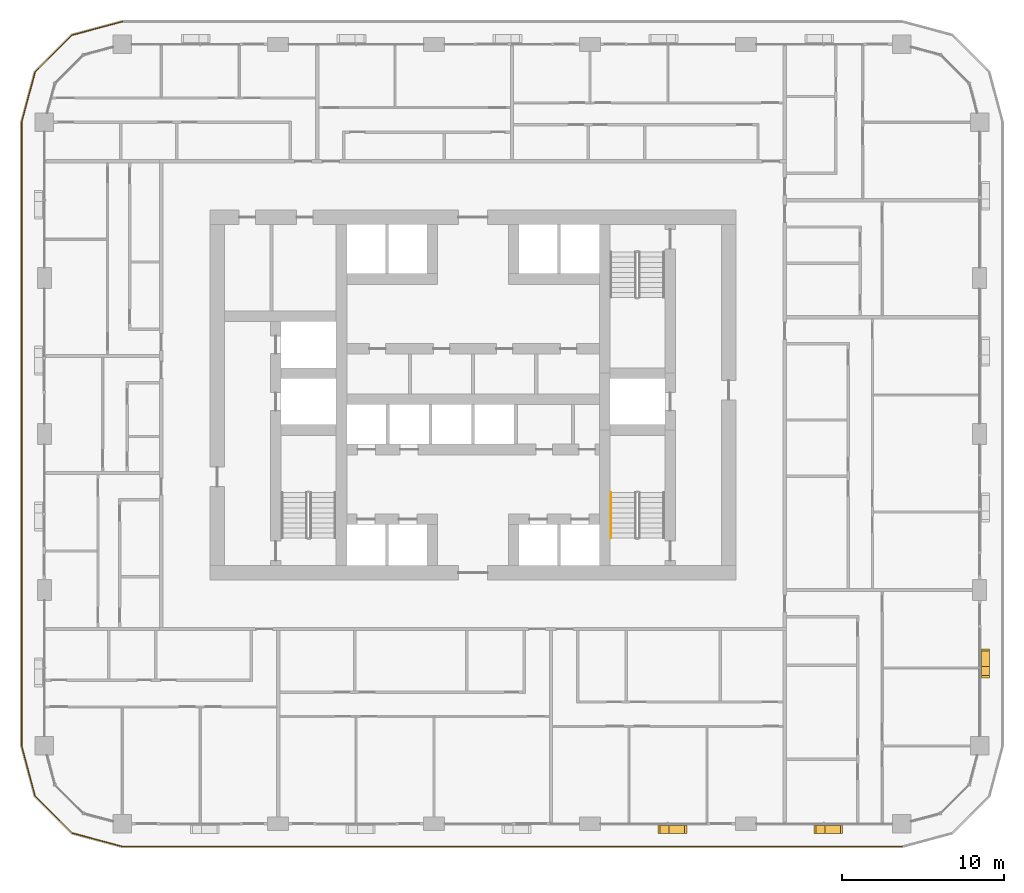
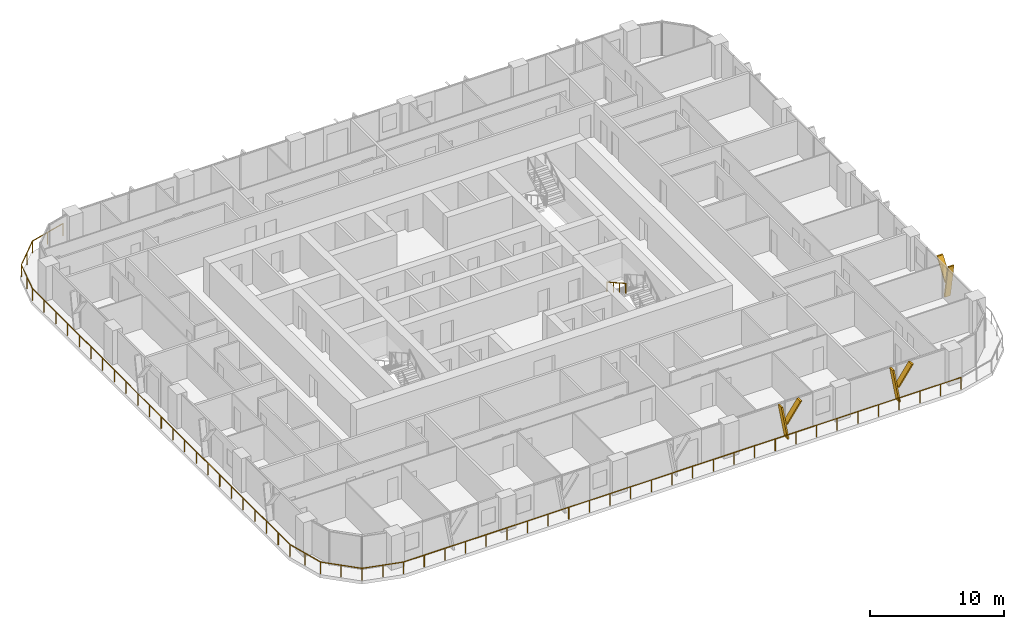
# One storey, part 18 of 21: 6 shading devices, 2 railings.
"""IFC4 building model written with IfcOpenShell, lengths in metres."""

from ifc_helpers import new_model, si_unit, direction, frame, origin, origin_2d, place, context, subcontext, project, spatial, polyline, circle, outline, extrude, material, type_object, element, save


model = new_model("IFC4")

# Units and contexts
model_context = context("Model", 3, precision=1e-05, world=origin(), true_north=direction((0.0, 1.0)))
body_context = subcontext(model_context, "Body", "Model", "MODEL_VIEW")
ifc_project = project(units=[si_unit("LENGTHUNIT", "METRE"), si_unit("AREAUNIT", "SQUARE_METRE"), si_unit("VOLUMEUNIT", "CUBIC_METRE"), si_unit("PLANEANGLEUNIT", "RADIAN"), si_unit("MASSUNIT", "GRAM", prefix="KILO")], contexts=[model_context])

# Site, building, storey
site_placement = place(None, origin())
site = spatial("IfcSite", under=ifc_project, at=site_placement, CompositionType="ELEMENT")
building_placement = place(site_placement, origin())
building = spatial("IfcBuilding", under=site, at=building_placement, Name="Madar Terraces", CompositionType="ELEMENT")
storey_placement = place(building_placement, frame((0.0, 0.0, 80.300048828125)))
storey = spatial("IfcBuildingStorey", under=building, at=storey_placement, Name="L20", CompositionType="ELEMENT", Elevation=80.300048828125)

# Railing
ifc_material_1 = material(Name="Glass, safety glazing, with stainless steel posts", Category="steel")
railing_type_1 = type_object("IfcRailingType", Name="Balcony glass guard 1100", PredefinedType="GUARDRAIL", material=ifc_material_1)
railing_1_placement = place(storey_placement, frame((9.60009765625, 49.39990234375, 0.0)))
element("IfcRailing", 1, at=railing_1_placement, inside=storey, type_object=railing_type_1, Name="Balcony guard", PredefinedType="GUARDRAIL", context=body_context, shape_type="SweptSolid", body=[
    extrude(circle(Radius=0.02392578125, at=origin_2d()), frame((0.0, 0.0, 1.076171875), z_axis=(-0.9659337912, -0.258789317819, 0.0), x_axis=(0.258789317819, -0.9659337912, 0.0)), (0.0, 0.0, 1.0), 3.20947265625),
    extrude(circle(Radius=0.02392578125, at=origin_2d()), frame((-3.10009765625, -0.83056640625, 1.076171875), z_axis=(-0.707106781187, -0.707106781187, 0.0), x_axis=(0.707106781187, -0.707106781187, 0.0)), (0.0, 0.0, 1.0), 3.209228515625),
    extrude(circle(Radius=0.02392578125, at=origin_2d()), frame((-5.369384765625, -3.099853515625, 1.076171875), z_axis=(-0.258860290944, -0.965914773555, 0.0), x_axis=(0.965914773555, -0.258860290944, 0.0)), (0.0, 0.0, 1.0), 3.20947265625),
    extrude(circle(Radius=0.02392578125, at=origin_2d()), frame((-6.2001953125, -6.199951171875, 1.076171875), z_axis=(0.0, -1.0, 0.0), x_axis=(1.0, 0.0, 0.0)), (0.0, 0.0, 1.0), 38.39990234375),
    extrude(circle(Radius=0.02392578125, at=origin_2d()), frame((-6.2001953125, -44.599853515625, 1.076171875), z_axis=(0.258860290944, -0.965914773555, 0.0), x_axis=(0.965914773555, 0.258860290944, 0.0)), (0.0, 0.0, 1.0), 3.20947265625),
    extrude(circle(Radius=0.02392578125, at=origin_2d()), frame((-5.369384765625, -47.699951171875, 1.076171875), z_axis=(0.707106781187, -0.707106781187, 0.0), x_axis=(0.707106781187, 0.707106781187, 0.0)), (0.0, 0.0, 1.0), 3.209228515625),
    extrude(circle(Radius=0.02392578125, at=origin_2d()), frame((-3.10009765625, -49.96923828125, 1.076171875), z_axis=(0.9659337912, -0.258789317819, 0.0), x_axis=(0.258789317819, 0.9659337912, 0.0)), (0.0, 0.0, 1.0), 3.20947265625),
    extrude(circle(Radius=0.02392578125, at=origin_2d()), frame((0.0, -50.7998046875, 1.076171875), z_axis=(1.0, 0.0, 0.0), x_axis=(0.0, 1.0, 0.0)), (0.0, 0.0, 1.0), 48.0),
    extrude(circle(Radius=0.02099609375, at=origin_2d()), origin(), (0.0, 0.0, 1.0), 1.052001953125),
    extrude(circle(Radius=0.02099609375, at=origin_2d()), frame((-1.550048828125, -0.415283203125, 0.0)), (0.0, 0.0, 1.0), 1.052001953125),
    extrude(circle(Radius=0.02099609375, at=origin_2d()), frame((-3.10009765625, -0.83056640625, 0.0)), (0.0, 0.0, 1.0), 1.052001953125),
    extrude(circle(Radius=0.02099609375, at=origin_2d()), frame((-4.23486328125, -1.96533203125, 0.0)), (0.0, 0.0, 1.0), 1.052001953125),
    extrude(circle(Radius=0.02099609375, at=origin_2d()), frame((-5.369384765625, -3.099853515625, 0.0)), (0.0, 0.0, 1.0), 1.052001953125),
    extrude(circle(Radius=0.02099609375, at=origin_2d()), frame((-5.78466796875, -4.64990234375, 0.0)), (0.0, 0.0, 1.0), 1.052001953125),
    extrude(circle(Radius=0.02099609375, at=origin_2d()), frame((-6.2001953125, -6.199951171875, 0.0)), (0.0, 0.0, 1.0), 1.052001953125),
    extrude(circle(Radius=0.02099609375, at=origin_2d()), frame((-6.2001953125, -7.9453125, 0.0)), (0.0, 0.0, 1.0), 1.052001953125),
    extrude(circle(Radius=0.02099609375, at=origin_2d()), frame((-6.2001953125, -9.69091796875, 0.0)), (0.0, 0.0, 1.0), 1.052001953125),
    extrude(circle(Radius=0.02099609375, at=origin_2d()), frame((-6.2001953125, -11.436279296875, 0.0)), (0.0, 0.0, 1.0), 1.052001953125),
    extrude(circle(Radius=0.02099609375, at=origin_2d()), frame((-6.2001953125, -13.181640625, 0.0)), (0.0, 0.0, 1.0), 1.052001953125),
    extrude(circle(Radius=0.02099609375, at=origin_2d()), frame((-6.2001953125, -14.92724609375, 0.0)), (0.0, 0.0, 1.0), 1.052001953125),
    extrude(circle(Radius=0.02099609375, at=origin_2d()), frame((-6.2001953125, -16.672607421875, 0.0)), (0.0, 0.0, 1.0), 1.052001953125),
    extrude(circle(Radius=0.02099609375, at=origin_2d()), frame((-6.2001953125, -18.418212890625, 0.0)), (0.0, 0.0, 1.0), 1.052001953125),
    extrude(circle(Radius=0.02099609375, at=origin_2d()), frame((-6.2001953125, -20.16357421875, 0.0)), (0.0, 0.0, 1.0), 1.052001953125),
    extrude(circle(Radius=0.02099609375, at=origin_2d()), frame((-6.2001953125, -21.908935546875, 0.0)), (0.0, 0.0, 1.0), 1.052001953125),
    extrude(circle(Radius=0.02099609375, at=origin_2d()), frame((-6.2001953125, -23.654541015625, 0.0)), (0.0, 0.0, 1.0), 1.052001953125),
    extrude(circle(Radius=0.02099609375, at=origin_2d()), frame((-6.2001953125, -25.39990234375, 0.0)), (0.0, 0.0, 1.0), 1.052001953125),
    extrude(circle(Radius=0.02099609375, at=origin_2d()), frame((-6.2001953125, -27.145263671875, 0.0)), (0.0, 0.0, 1.0), 1.052001953125),
    extrude(circle(Radius=0.02099609375, at=origin_2d()), frame((-6.2001953125, -28.890869140625, 0.0)), (0.0, 0.0, 1.0), 1.052001953125),
    extrude(circle(Radius=0.02099609375, at=origin_2d()), frame((-6.2001953125, -30.63623046875, 0.0)), (0.0, 0.0, 1.0), 1.052001953125),
    extrude(circle(Radius=0.02099609375, at=origin_2d()), frame((-6.2001953125, -32.381591796875, 0.0)), (0.0, 0.0, 1.0), 1.052001953125),
    extrude(circle(Radius=0.02099609375, at=origin_2d()), frame((-6.2001953125, -34.127197265625, 0.0)), (0.0, 0.0, 1.0), 1.052001953125),
    extrude(circle(Radius=0.02099609375, at=origin_2d()), frame((-6.2001953125, -35.87255859375, 0.0)), (0.0, 0.0, 1.0), 1.052001953125),
    extrude(circle(Radius=0.02099609375, at=origin_2d()), frame((-6.2001953125, -37.6181640625, 0.0)), (0.0, 0.0, 1.0), 1.052001953125),
    extrude(circle(Radius=0.02099609375, at=origin_2d()), frame((-6.2001953125, -39.363525390625, 0.0)), (0.0, 0.0, 1.0), 1.052001953125),
    extrude(circle(Radius=0.02099609375, at=origin_2d()), frame((-6.2001953125, -41.10888671875, 0.0)), (0.0, 0.0, 1.0), 1.052001953125),
    extrude(circle(Radius=0.02099609375, at=origin_2d()), frame((-6.2001953125, -42.8544921875, 0.0)), (0.0, 0.0, 1.0), 1.052001953125),
    extrude(circle(Radius=0.02099609375, at=origin_2d()), frame((-6.2001953125, -44.599853515625, 0.0)), (0.0, 0.0, 1.0), 1.052001953125),
    extrude(circle(Radius=0.02099609375, at=origin_2d()), frame((-5.78466796875, -46.14990234375, 0.0)), (0.0, 0.0, 1.0), 1.052001953125),
    extrude(circle(Radius=0.02099609375, at=origin_2d()), frame((-5.369384765625, -47.699951171875, 0.0)), (0.0, 0.0, 1.0), 1.052001953125),
    extrude(circle(Radius=0.02099609375, at=origin_2d()), frame((-4.23486328125, -48.83447265625, 0.0)), (0.0, 0.0, 1.0), 1.052001953125),
    extrude(circle(Radius=0.02099609375, at=origin_2d()), frame((-3.10009765625, -49.96923828125, 0.0)), (0.0, 0.0, 1.0), 1.052001953125),
    extrude(circle(Radius=0.02099609375, at=origin_2d()), frame((-1.550048828125, -50.384521484375, 0.0)), (0.0, 0.0, 1.0), 1.052001953125),
    extrude(circle(Radius=0.02099609375, at=origin_2d()), frame((0.0, -50.7998046875, 0.0)), (0.0, 0.0, 1.0), 1.052001953125),
    extrude(circle(Radius=0.02099609375, at=origin_2d()), frame((1.77783203125, -50.7998046875, 0.0)), (0.0, 0.0, 1.0), 1.052001953125),
    extrude(circle(Radius=0.02099609375, at=origin_2d()), frame((3.5556640625, -50.7998046875, 0.0)), (0.0, 0.0, 1.0), 1.052001953125),
    extrude(circle(Radius=0.02099609375, at=origin_2d()), frame((5.333251953125, -50.7998046875, 0.0)), (0.0, 0.0, 1.0), 1.052001953125),
    extrude(circle(Radius=0.02099609375, at=origin_2d()), frame((7.111083984375, -50.7998046875, 0.0)), (0.0, 0.0, 1.0), 1.052001953125),
    extrude(circle(Radius=0.02099609375, at=origin_2d()), frame((8.888916015625, -50.7998046875, 0.0)), (0.0, 0.0, 1.0), 1.052001953125),
    extrude(circle(Radius=0.02099609375, at=origin_2d()), frame((10.666748046875, -50.7998046875, 0.0)), (0.0, 0.0, 1.0), 1.052001953125),
    extrude(circle(Radius=0.02099609375, at=origin_2d()), frame((12.4443359375, -50.7998046875, 0.0)), (0.0, 0.0, 1.0), 1.052001953125),
    extrude(circle(Radius=0.02099609375, at=origin_2d()), frame((14.22216796875, -50.7998046875, 0.0)), (0.0, 0.0, 1.0), 1.052001953125),
    extrude(circle(Radius=0.02099609375, at=origin_2d()), frame((16.0, -50.7998046875, 0.0)), (0.0, 0.0, 1.0), 1.052001953125),
    extrude(circle(Radius=0.02099609375, at=origin_2d()), frame((17.77783203125, -50.7998046875, 0.0)), (0.0, 0.0, 1.0), 1.052001953125),
    extrude(circle(Radius=0.02099609375, at=origin_2d()), frame((19.5556640625, -50.7998046875, 0.0)), (0.0, 0.0, 1.0), 1.052001953125),
    extrude(circle(Radius=0.02099609375, at=origin_2d()), frame((21.333251953125, -50.7998046875, 0.0)), (0.0, 0.0, 1.0), 1.052001953125),
    extrude(circle(Radius=0.02099609375, at=origin_2d()), frame((23.111083984375, -50.7998046875, 0.0)), (0.0, 0.0, 1.0), 1.052001953125),
    extrude(circle(Radius=0.02099609375, at=origin_2d()), frame((24.888916015625, -50.7998046875, 0.0)), (0.0, 0.0, 1.0), 1.052001953125),
    extrude(circle(Radius=0.02099609375, at=origin_2d()), frame((26.666748046875, -50.7998046875, 0.0)), (0.0, 0.0, 1.0), 1.052001953125),
    extrude(circle(Radius=0.02099609375, at=origin_2d()), frame((28.4443359375, -50.7998046875, 0.0)), (0.0, 0.0, 1.0), 1.052001953125),
    extrude(circle(Radius=0.02099609375, at=origin_2d()), frame((30.22216796875, -50.7998046875, 0.0)), (0.0, 0.0, 1.0), 1.052001953125),
    extrude(circle(Radius=0.02099609375, at=origin_2d()), frame((32.0, -50.7998046875, 0.0)), (0.0, 0.0, 1.0), 1.052001953125),
    extrude(circle(Radius=0.02099609375, at=origin_2d()), frame((33.77783203125, -50.7998046875, 0.0)), (0.0, 0.0, 1.0), 1.052001953125),
    extrude(circle(Radius=0.02099609375, at=origin_2d()), frame((35.5556640625, -50.7998046875, 0.0)), (0.0, 0.0, 1.0), 1.052001953125),
    extrude(circle(Radius=0.02099609375, at=origin_2d()), frame((37.333251953125, -50.7998046875, 0.0)), (0.0, 0.0, 1.0), 1.052001953125),
    extrude(circle(Radius=0.02099609375, at=origin_2d()), frame((39.111083984375, -50.7998046875, 0.0)), (0.0, 0.0, 1.0), 1.052001953125),
    extrude(circle(Radius=0.02099609375, at=origin_2d()), frame((40.888916015625, -50.7998046875, 0.0)), (0.0, 0.0, 1.0), 1.052001953125),
    extrude(circle(Radius=0.02099609375, at=origin_2d()), frame((42.666748046875, -50.7998046875, 0.0)), (0.0, 0.0, 1.0), 1.052001953125),
    extrude(circle(Radius=0.02099609375, at=origin_2d()), frame((44.4443359375, -50.7998046875, 0.0)), (0.0, 0.0, 1.0), 1.052001953125),
    extrude(circle(Radius=0.02099609375, at=origin_2d()), frame((46.22216796875, -50.7998046875, 0.0)), (0.0, 0.0, 1.0), 1.052001953125),
    extrude(circle(Radius=0.02099609375, at=origin_2d()), frame((48.0, -50.7998046875, 0.0)), (0.0, 0.0, 1.0), 1.052001953125),
])

# Shading devices
ifc_material_2 = material(Name="Aluminium, black anodised", Category="aluminium")
shading_device_type = type_object("IfcShadingDeviceType", Name="Facade fin blade 140 x 500", PredefinedType="USERDEFINED", material=ifc_material_2)
shading_device_1_placement = place(storey_placement, frame((43.1298828125, -0.35009765625, 0.0), z_axis=(0.0, 0.0, 1.0), x_axis=(1.0, 0.0, 0.0)))
element("IfcShadingDevice", 2, at=shading_device_1_placement, inside=storey, type_object=shading_device_type, Name="FIN L20 S4", ObjectType="FIN", PredefinedType="USERDEFINED", context=body_context, shape_type="SweptSolid", body=[
    extrude(outline(polyline([(0.0, 0.0), (0.14013671875, 0.0), (-0.403076171875, 3.079833984375), (-0.54296875, 3.079833984375), (0.0, 0.0)])), frame((0.0, 0.25, 0.0), z_axis=(0.0, -1.0, 0.0), x_axis=(1.0, 0.0, 0.0)), (0.0, 0.0, 1.0), 0.5),
])
shading_device_2_placement = place(storey_placement, frame((43.025634765625, -0.35009765625, 1.385986328125), z_axis=(0.0, 0.0, 1.0), x_axis=(1.0, 0.0, 0.0)))
element("IfcShadingDevice", 3, at=shading_device_2_placement, inside=storey, type_object=shading_device_type, Name="FIN L20 S4 branch", ObjectType="FIN", PredefinedType="USERDEFINED", context=body_context, shape_type="SweptSolid", body=[
    extrude(outline(polyline([(0.0, 0.0), (0.139892578125, 0.0), (1.34130859375, 1.69384765625), (1.201416015625, 1.69384765625), (0.0, 0.0)])), frame((0.0, 0.25, 0.0), z_axis=(0.0, -1.0, 0.0), x_axis=(1.0, 0.0, 0.0)), (0.0, 0.0, 1.0), 0.5),
])
shading_device_3_placement = place(storey_placement, frame((52.72998046875, -0.35009765625, 0.0), z_axis=(0.0, 0.0, 1.0), x_axis=(1.0, 0.0, 0.0)))
element("IfcShadingDevice", 4, at=shading_device_3_placement, inside=storey, type_object=shading_device_type, Name="FIN L20 S5", ObjectType="FIN", PredefinedType="USERDEFINED", context=body_context, shape_type="SweptSolid", body=[
    extrude(outline(polyline([(0.0, 0.0), (0.14013671875, 0.0), (-0.403076171875, 3.079833984375), (-0.54296875, 3.079833984375), (0.0, 0.0)])), frame((0.0, 0.25, 0.0), z_axis=(0.0, -1.0, 0.0), x_axis=(1.0, 0.0, 0.0)), (0.0, 0.0, 1.0), 0.5),
])
shading_device_4_placement = place(storey_placement, frame((52.625732421875, -0.35009765625, 1.385986328125), z_axis=(0.0, 0.0, 1.0), x_axis=(1.0, 0.0, 0.0)))
element("IfcShadingDevice", 5, at=shading_device_4_placement, inside=storey, type_object=shading_device_type, Name="FIN L20 S5 branch", ObjectType="FIN", PredefinedType="USERDEFINED", context=body_context, shape_type="SweptSolid", body=[
    extrude(outline(polyline([(0.0, 0.0), (0.139892578125, 0.0), (1.34130859375, 1.69384765625), (1.201416015625, 1.69384765625), (0.0, 0.0)])), frame((0.0, 0.25, 0.0), z_axis=(0.0, -1.0, 0.0), x_axis=(1.0, 0.0, 0.0)), (0.0, 0.0, 1.0), 0.5),
])
shading_device_5_placement = place(storey_placement, frame((62.75, 9.530029296875, 0.0), z_axis=(0.0, 0.0, 1.0), x_axis=(0.0, 1.0, 0.0)))
element("IfcShadingDevice", 6, at=shading_device_5_placement, inside=storey, type_object=shading_device_type, Name="FIN L20 E1", ObjectType="FIN", PredefinedType="USERDEFINED", context=body_context, shape_type="SweptSolid", body=[
    extrude(outline(polyline([(0.0, 0.0), (0.139892578125, 0.0), (-0.403076171875, 3.079833984375), (-0.54296875, 3.079833984375), (0.0, 0.0)])), frame((0.0, 0.25, 0.0), z_axis=(0.0, -1.0, 0.0), x_axis=(1.0, 0.0, 0.0)), (0.0, 0.0, 1.0), 0.5),
])
shading_device_6_placement = place(storey_placement, frame((62.75, 9.425537109375, 1.385986328125), z_axis=(0.0, 0.0, 1.0), x_axis=(0.0, 1.0, 0.0)))
element("IfcShadingDevice", 7, at=shading_device_6_placement, inside=storey, type_object=shading_device_type, Name="FIN L20 E1 branch", ObjectType="FIN", PredefinedType="USERDEFINED", context=body_context, shape_type="SweptSolid", body=[
    extrude(outline(polyline([(0.0, 0.0), (0.14013671875, 0.0), (1.34130859375, 1.69384765625), (1.201416015625, 1.69384765625), (0.0, 0.0)])), frame((0.0, 0.25, 0.0), z_axis=(0.0, -1.0, 0.0), x_axis=(1.0, 0.0, 0.0)), (0.0, 0.0, 1.0), 0.5),
])

# Railing
ifc_material_3 = material(Name="Stainless steel railing", Category="steel")
railing_type_2 = type_object("IfcRailingType", Name="Stair handrail 900", PredefinedType="HANDRAIL", material=ifc_material_3)
railing_2_placement = place(storey_placement, frame((39.699951171875, 20.389892578125, 1.925048828125)))
element("IfcRailing", 8, at=railing_2_placement, inside=storey, type_object=railing_type_2, Name="L20 ST3 stair handrail 2", PredefinedType="HANDRAIL", context=body_context, shape_type="SweptSolid", body=[
    extrude(circle(Radius=0.02392578125, at=origin_2d()), frame((0.0, 0.0, 0.8759765625), z_axis=(0.0, -0.870815363784, 0.491610213684), x_axis=(1.0, 0.0, 0.0)), (0.0, 0.0, 1.0), 3.20361328125),
    extrude(circle(Radius=0.02099609375, at=origin_2d()), origin(), (0.0, 0.0, 1.0), 0.851806640625),
    extrude(circle(Radius=0.02099609375, at=origin_2d()), frame((0.0, -0.929931640625, 0.52490234375)), (0.0, 0.0, 1.0), 0.851806640625),
    extrude(circle(Radius=0.02099609375, at=origin_2d()), frame((0.0, -1.85986328125, 1.050048828125)), (0.0, 0.0, 1.0), 0.851806640625),
    extrude(circle(Radius=0.02099609375, at=origin_2d()), frame((0.0, -2.789794921875, 1.574951171875)), (0.0, 0.0, 1.0), 0.851806640625),
])

save(model, "model.ifc")
